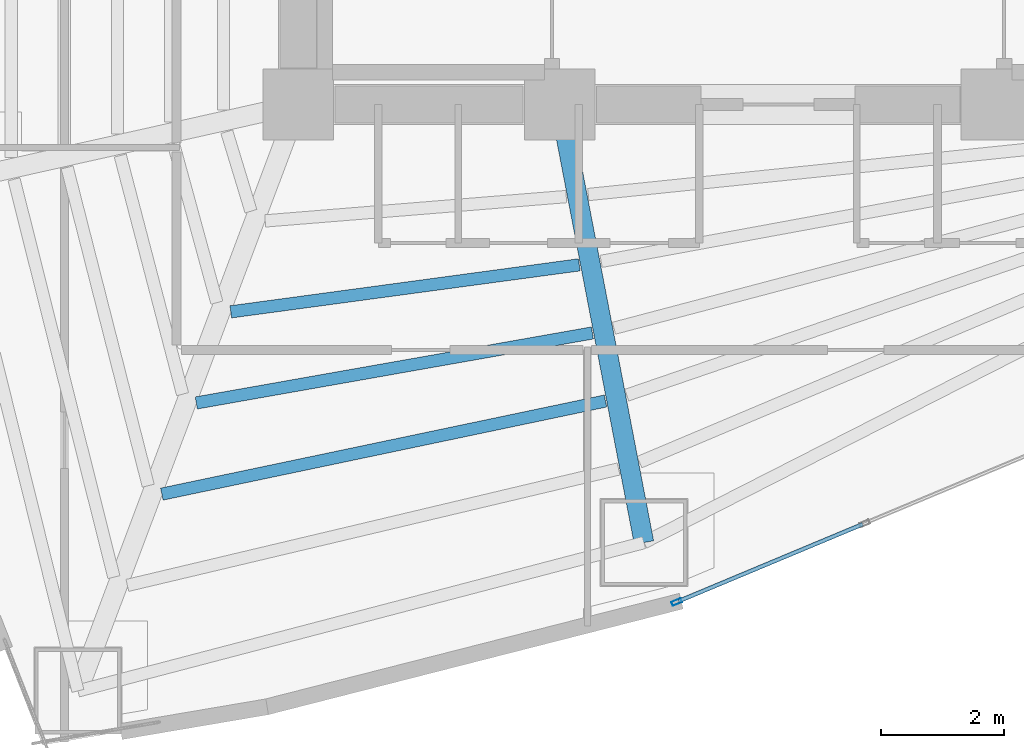
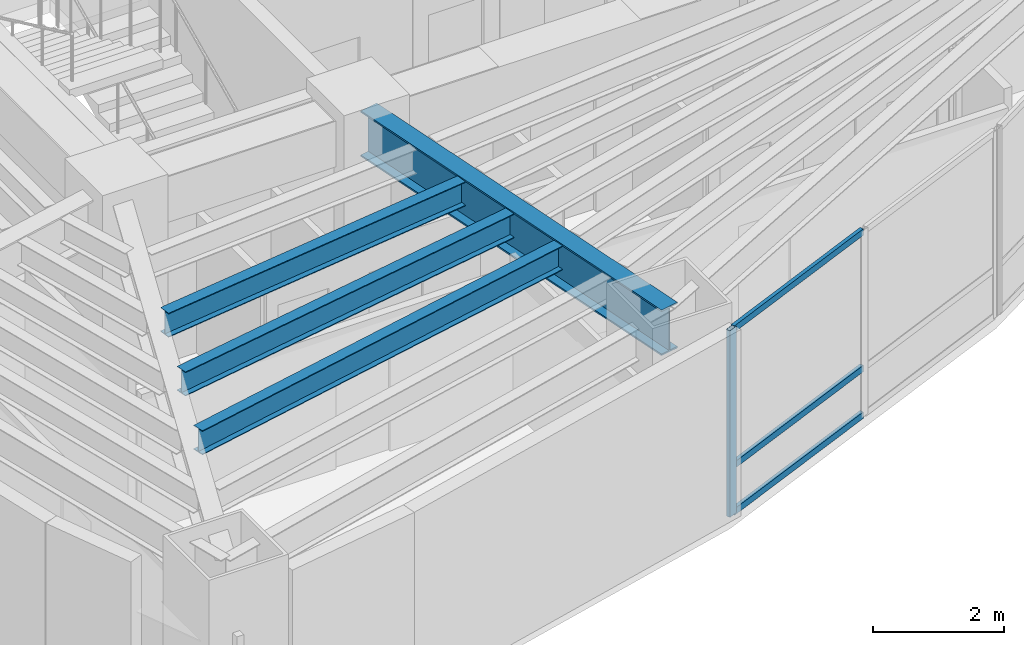
# One storey, part 2 of 17: 4 beams, 4 members, 1 element without a shape of its own.
"""IFC4 building model written with IfcOpenShell, lengths in metres."""

from ifc_helpers import new_model, si_unit, direction, frame, origin, origin_2d, place, context, subcontext, project, spatial, hollow_rectangle, i_section, extrude, material, layer, layer_set, material_profile, profile_set, type_object, element, aggregate, save


model = new_model("IFC4")

# Units and contexts
model_context = context("Model", 3, precision=1e-05, world=origin(), true_north=direction((0.0, 1.0)))
body_context = subcontext(model_context, "Body", "Model", "MODEL_VIEW")
ifc_project = project(units=[si_unit("LENGTHUNIT", "METRE"), si_unit("AREAUNIT", "SQUARE_METRE"), si_unit("VOLUMEUNIT", "CUBIC_METRE"), si_unit("PLANEANGLEUNIT", "RADIAN"), si_unit("MASSUNIT", "GRAM", prefix="KILO")], contexts=[model_context])

# Site, building, storey
site_placement = place(None, origin())
site = spatial("IfcSite", under=ifc_project, at=site_placement, CompositionType="ELEMENT")
building_placement = place(site_placement, origin())
building = spatial("IfcBuilding", under=site, at=building_placement, Name="Menara Vayukalpa", CompositionType="ELEMENT")
storey_placement = place(building_placement, frame((0.0, 0.0, 38.760009765625)))
storey = spatial("IfcBuildingStorey", under=building, at=storey_placement, Name="L08", CompositionType="ELEMENT", Elevation=38.760009765625)

# Beams
ifc_material_1 = material(Name="Steel S355", Category="steel")
ifc_material_profile_1 = material_profile(ifc_material_1, i_section(OverallWidth=0.320068359375, OverallDepth=0.85009765625, WebThickness=0.01611328125, FlangeThickness=0.030029296875, at=origin_2d()), Name="WF 850x320x16x30")
ifc_profile_set_1 = profile_set([ifc_material_profile_1], Name="Steel S355")
beam_type_1 = type_object("IfcBeamType", Name="BM-PG2", PredefinedType="BEAM", material=ifc_profile_set_1)
beam_1_placement = place(storey_placement, frame((22.09716796875, 16.95458984375, 3.044921875), z_axis=(0.188803432672, -0.982014899995, 0.0), x_axis=(0.982014899995, 0.188803432672, 0.0)))
element("IfcBeam", 1, at=beam_1_placement, inside=storey, type_object=beam_type_1, Name="L08 Primary Radial Girder RG08", PredefinedType="BEAM", context=body_context, shape_type="SweptSolid", body=[
    extrude(i_section(OverallWidth=0.320068359375, OverallDepth=0.85009765625, WebThickness=0.01611328125, FlangeThickness=0.030029296875, at=origin_2d()), origin(), (0.0, 0.0, 1.0), 7.00341796875),
])
ifc_material_2 = material(Name="Steel S355", Category="steel")
ifc_material_profile_2 = material_profile(ifc_material_2, i_section(OverallWidth=0.199951171875, OverallDepth=0.449951171875, WebThickness=0.009033203125, FlangeThickness=0.013916015625, at=origin_2d()), Name="WF 450x200x9x14")
ifc_profile_set_2 = profile_set([ifc_material_profile_2], Name="Steel S355")
beam_type_2 = type_object("IfcBeamType", Name="BM-SJ1", PredefinedType="JOIST", material=ifc_profile_set_2)
beam_2_placement = place(storey_placement, frame((16.702392578125, 13.827880859375, 3.244873046875), z_axis=(0.991021966654, 0.13369914588, 0.0), x_axis=(-0.13369914588, 0.991021966654, 0.0)))
element("IfcBeam", 2, at=beam_2_placement, inside=storey, type_object=beam_type_2, Name="L08 Secondary Floor Joist SJ07-2", PredefinedType="JOIST", context=body_context, shape_type="SweptSolid", body=[
    extrude(i_section(OverallWidth=0.199951171875, OverallDepth=0.449951171875, WebThickness=0.009033203125, FlangeThickness=0.013916015625, at=origin_2d()), origin(), (0.0, 0.0, 1.0), 5.71728515625),
])
beam_3_placement = place(storey_placement, frame((16.14208984375, 12.34716796875, 3.244873046875), z_axis=(0.984753096925, 0.173957862993, 0.0), x_axis=(-0.173957862993, 0.984753096925, 0.0)))
element("IfcBeam", 3, at=beam_3_placement, inside=storey, type_object=beam_type_2, Name="L08 Secondary Floor Joist SJ07-3", PredefinedType="JOIST", context=body_context, shape_type="SweptSolid", body=[
    extrude(i_section(OverallWidth=0.199951171875, OverallDepth=0.449951171875, WebThickness=0.009033203125, FlangeThickness=0.013916015625, at=origin_2d()), origin(), (0.0, 0.0, 1.0), 6.53857421875),
])
beam_4_placement = place(storey_placement, frame((15.581787109375, 10.86474609375, 3.244873046875), z_axis=(0.978676146728, 0.205409346977, 0.0), x_axis=(-0.205409346977, 0.978676146728, 0.0)))
element("IfcBeam", 4, at=beam_4_placement, inside=storey, type_object=beam_type_2, Name="L08 Secondary Floor Joist SJ07-4", PredefinedType="JOIST", context=body_context, shape_type="SweptSolid", body=[
    extrude(i_section(OverallWidth=0.199951171875, OverallDepth=0.449951171875, WebThickness=0.009033203125, FlangeThickness=0.013916015625, at=origin_2d()), origin(), (0.0, 0.0, 1.0), 7.369140625),
])

# Curtain wall, members
ifc_material_3 = material(Name="Anodised Terracotta Aluminium Alloy 6063-T6", Category="masonry")
ifc_layer = layer(ifc_material_3, 0.1650390625)
ifc_layer_set = layer_set([ifc_layer], Name="Anodised Terracotta Aluminium Alloy 6063-T6")
curtain_wall_type = type_object("IfcCurtainWallType", Name="CW-CW2", PredefinedType="USERDEFINED", material=ifc_layer_set)
curtain_wall_placement = place(storey_placement, origin())
curtain_wall = element("IfcCurtainWall", 5, at=curtain_wall_placement, inside=storey, type_object=curtain_wall_type, Name="L08 Low Rise Terracotta Ribbon Curtain Wall CW2 16", ObjectType="UNITISED", PredefinedType="USERDEFINED")
ifc_material_4 = material(Name="Anodised Terracotta Aluminium Alloy 6063-T6", Category="masonry")
ifc_material_profile_3 = material_profile(ifc_material_4, hollow_rectangle(XDim=0.070068359375, YDim=0.1650390625, WallThickness=0.00390625, at=origin_2d()), Name="ALU 70x165x4")
ifc_profile_set_3 = profile_set([ifc_material_profile_3], Name="Anodised Terracotta Aluminium Alloy 6063-T6")
member_type_1 = type_object("IfcMemberType", Name="CWM-CW2", PredefinedType="MULLION", material=ifc_profile_set_3)
member_1_placement = place(storey_placement, frame((23.950927734375, 9.110595703125, 0.0), z_axis=(0.0, 0.0, 1.0), x_axis=(-0.385895120445, 0.922542658101, 0.0)))
member_1 = element("IfcMember", 6, at=member_1_placement, type_object=member_type_1, Name="CW2 mullion 1", PredefinedType="MULLION", context=body_context, shape_type="SweptSolid", body=[
    extrude(hollow_rectangle(XDim=0.070068359375, YDim=0.1650390625, WallThickness=0.00390625, at=origin_2d()), origin(), (0.0, 0.0, 1.0), 3.469970703125),
])
ifc_material_5 = material(Name="Anodised Terracotta Aluminium Alloy 6063-T6", Category="masonry")
ifc_material_profile_4 = material_profile(ifc_material_5, hollow_rectangle(XDim=0.06494140625, YDim=0.1201171875, WallThickness=0.00341796875, at=origin_2d()), Name="ALU 65x120x3.5")
ifc_profile_set_4 = profile_set([ifc_material_profile_4], Name="Anodised Terracotta Aluminium Alloy 6063-T6")
member_type_2 = type_object("IfcMemberType", Name="CWT-CW2", PredefinedType="USERDEFINED", material=ifc_profile_set_4)
member_2_placement = place(storey_placement, frame((23.983154296875, 9.1240234375, 0.032470703125), z_axis=(0.922552588381, 0.385871379699, 0.0), x_axis=(-0.385871379699, 0.922552588381, 0.0)))
member_2 = element("IfcMember", 7, at=member_2_placement, type_object=member_type_2, Name="CW2 transom 1.1", ObjectType="TRANSOM", PredefinedType="USERDEFINED", context=body_context, shape_type="SweptSolid", body=[
    extrude(hollow_rectangle(XDim=0.06494140625, YDim=0.1201171875, WallThickness=0.00341796875, at=origin_2d()), origin(), (0.0, 0.0, 1.0), 3.24267578125),
])
member_3_placement = place(storey_placement, frame((23.983154296875, 9.1240234375, 0.89990234375), z_axis=(0.922552588381, 0.385871379699, 0.0), x_axis=(-0.385871379699, 0.922552588381, 0.0)))
member_3 = element("IfcMember", 8, at=member_3_placement, type_object=member_type_2, Name="CW2 transom 1.2", ObjectType="TRANSOM", PredefinedType="USERDEFINED", context=body_context, shape_type="SweptSolid", body=[
    extrude(hollow_rectangle(XDim=0.06494140625, YDim=0.1201171875, WallThickness=0.00341796875, at=origin_2d()), origin(), (0.0, 0.0, 1.0), 3.24267578125),
])
member_4_placement = place(storey_placement, frame((23.983154296875, 9.1240234375, 3.4375), z_axis=(0.922552588381, 0.385871379699, 0.0), x_axis=(-0.385871379699, 0.922552588381, 0.0)))
member_4 = element("IfcMember", 9, at=member_4_placement, type_object=member_type_2, Name="CW2 transom 1.3", ObjectType="TRANSOM", PredefinedType="USERDEFINED", context=body_context, shape_type="SweptSolid", body=[
    extrude(hollow_rectangle(XDim=0.06494140625, YDim=0.1201171875, WallThickness=0.00341796875, at=origin_2d()), origin(), (0.0, 0.0, 1.0), 3.24267578125),
])
aggregate(curtain_wall, [member_1, member_2, member_3, member_4])

save(model, "model.ifc")
